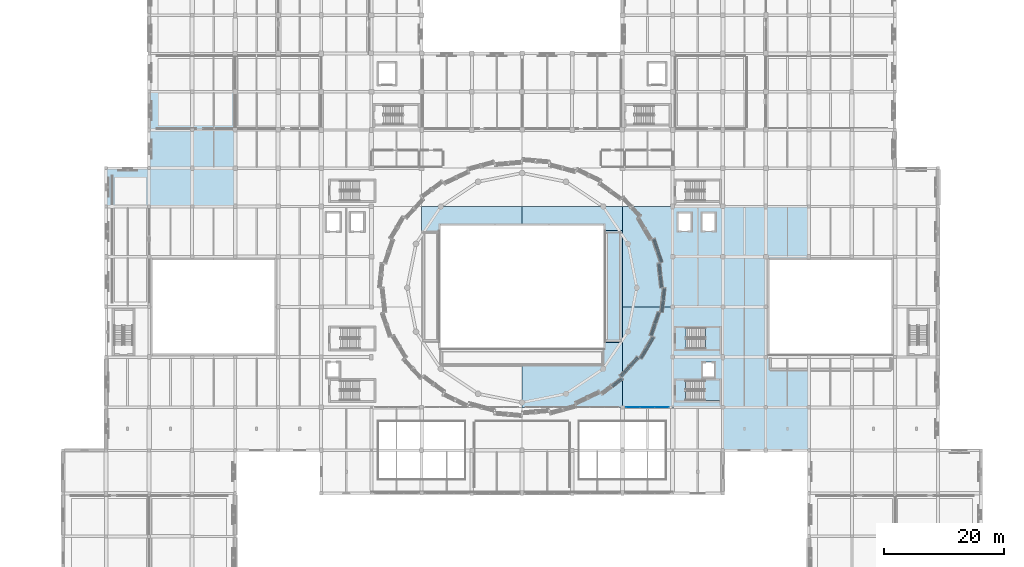
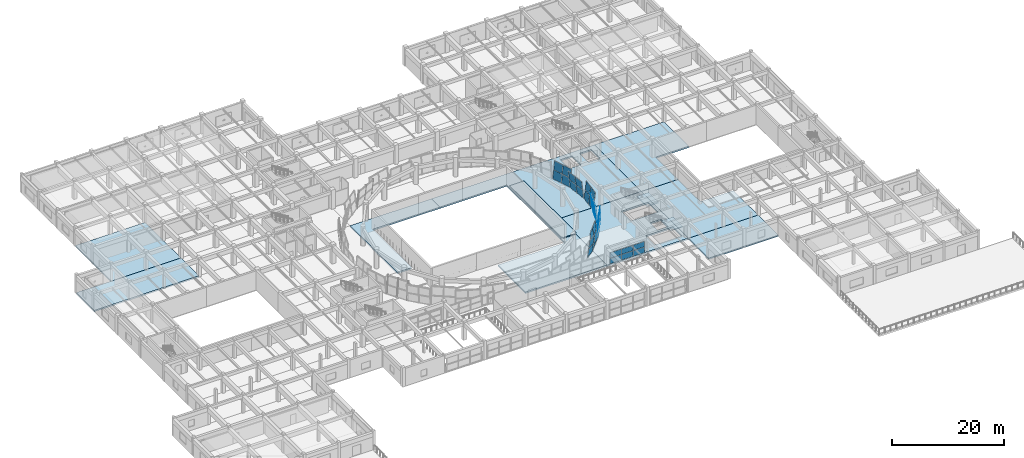
# One storey, part 43 of 71: 32 plates, 13 slabs, 10 elements without a shape of their own.
"""IFC4 building model written with IfcOpenShell, lengths in metres."""

from ifc_helpers import new_model, si_unit, direction, frame, origin, origin_2d, place, context, subcontext, project, spatial, polyline, rectangle, outline, extrude, material, layer, layer_set, type_object, element, aggregate, save


model = new_model("IFC4")

# Units and contexts
model_context = context("Model", 3, precision=1e-05, world=origin(), true_north=direction((0.0, 1.0)))
body_context = subcontext(model_context, "Body", "Model", "MODEL_VIEW")
ifc_project = project(units=[si_unit("LENGTHUNIT", "METRE"), si_unit("AREAUNIT", "SQUARE_METRE"), si_unit("VOLUMEUNIT", "CUBIC_METRE"), si_unit("PLANEANGLEUNIT", "RADIAN"), si_unit("MASSUNIT", "GRAM", prefix="KILO")], contexts=[model_context])

# Site, building, storey
site_placement = place(None, origin())
site = spatial("IfcSite", under=ifc_project, at=site_placement, CompositionType="ELEMENT")
building_placement = place(site_placement, origin())
building = spatial("IfcBuilding", under=site, at=building_placement, Name="Korsvaeld Concert Hall", CompositionType="ELEMENT")
storey_placement = place(building_placement, frame((0.0, 0.0, 4.800048828125)))
storey = spatial("IfcBuildingStorey", under=building, at=storey_placement, Name="L01", CompositionType="ELEMENT", Elevation=4.800048828125)

# Curtain wall, plates
ifc_material_1 = material(Name="Anodised bronze and ceramic-fritted safety glass", Category="glass")
curtain_wall_type_1 = type_object("IfcCurtainWallType", Name="CW-TYPE-14", PredefinedType="USERDEFINED", material=ifc_material_1)
curtain_wall_1_placement = place(storey_placement, origin())
curtain_wall_1 = element("IfcCurtainWall", 1, at=curtain_wall_1_placement, inside=storey, type_object=curtain_wall_type_1, Name="Glazed foyer acoustic screen L01-30", ObjectType="CURTAIN WALL", PredefinedType="USERDEFINED")
ifc_material_2 = material(Name="Clear acoustic triple safety glazing", Category="glass")
ifc_layer_1 = layer(ifc_material_2, 0.0439453125)
ifc_layer_set_1 = layer_set([ifc_layer_1], Name="Clear acoustic triple safety glazing")
plate_type_1 = type_object("IfcPlateType", Name="CWP-CLEAR-44", PredefinedType="CURTAIN_PANEL", material=ifc_layer_set_1)
plate_1_placement = place(storey_placement, frame((102.614990234375, 43.199951171875, 0.059814453125), z_axis=(0.0, 0.0, 1.0), x_axis=(1.0, 0.0, 0.0)))
plate_1 = element("IfcPlate", 2, at=plate_1_placement, type_object=plate_type_1, Name="CW-14 panel 1.1", PredefinedType="CURTAIN_PANEL", context=body_context, shape_type="SweptSolid", body=[
    extrude(rectangle(XDim=2.31005859375, YDim=0.0439453125, at=origin_2d()), origin(), (0.0, 0.0, 1.0), 1.18505859375),
])
plate_2_placement = place(storey_placement, frame((102.614990234375, 43.199951171875, 1.304931640625), z_axis=(0.0, 0.0, 1.0), x_axis=(1.0, 0.0, 0.0)))
plate_2 = element("IfcPlate", 3, at=plate_2_placement, type_object=plate_type_1, Name="CW-14 panel 1.2", PredefinedType="CURTAIN_PANEL", context=body_context, shape_type="SweptSolid", body=[
    extrude(rectangle(XDim=2.31005859375, YDim=0.0439453125, at=origin_2d()), origin(), (0.0, 0.0, 1.0), 1.18505859375),
])
plate_3_placement = place(storey_placement, frame((105.0, 43.199951171875, 0.059814453125), z_axis=(0.0, 0.0, 1.0), x_axis=(1.0, 0.0, 0.0)))
plate_3 = element("IfcPlate", 4, at=plate_3_placement, type_object=plate_type_1, Name="CW-14 panel 2.1", PredefinedType="CURTAIN_PANEL", context=body_context, shape_type="SweptSolid", body=[
    extrude(rectangle(XDim=2.340087890625, YDim=0.0439453125, at=origin_2d()), origin(), (0.0, 0.0, 1.0), 1.18505859375),
])
plate_4_placement = place(storey_placement, frame((105.0, 43.199951171875, 1.304931640625), z_axis=(0.0, 0.0, 1.0), x_axis=(1.0, 0.0, 0.0)))
plate_4 = element("IfcPlate", 5, at=plate_4_placement, type_object=plate_type_1, Name="CW-14 panel 2.2", PredefinedType="CURTAIN_PANEL", context=body_context, shape_type="SweptSolid", body=[
    extrude(rectangle(XDim=2.340087890625, YDim=0.0439453125, at=origin_2d()), origin(), (0.0, 0.0, 1.0), 1.18505859375),
])
plate_5_placement = place(storey_placement, frame((107.385009765625, 43.199951171875, 0.059814453125), z_axis=(0.0, 0.0, 1.0), x_axis=(1.0, 0.0, 0.0)))
plate_5 = element("IfcPlate", 6, at=plate_5_placement, type_object=plate_type_1, Name="CW-14 panel 3.1", PredefinedType="CURTAIN_PANEL", context=body_context, shape_type="SweptSolid", body=[
    extrude(rectangle(XDim=2.31005859375, YDim=0.0439453125, at=origin_2d()), origin(), (0.0, 0.0, 1.0), 1.18505859375),
])
plate_6_placement = place(storey_placement, frame((107.385009765625, 43.199951171875, 1.304931640625), z_axis=(0.0, 0.0, 1.0), x_axis=(1.0, 0.0, 0.0)))
plate_6 = element("IfcPlate", 7, at=plate_6_placement, type_object=plate_type_1, Name="CW-14 panel 3.2", PredefinedType="CURTAIN_PANEL", context=body_context, shape_type="SweptSolid", body=[
    extrude(rectangle(XDim=2.31005859375, YDim=0.0439453125, at=origin_2d()), origin(), (0.0, 0.0, 1.0), 1.18505859375),
])
aggregate(curtain_wall_1, [plate_1, plate_2, plate_3, plate_4, plate_5, plate_6])

curtain_wall_type_2 = type_object("IfcCurtainWallType", Name="CW-TYPE-01", PredefinedType="USERDEFINED", material=ifc_material_1)
curtain_wall_2_placement = place(storey_placement, origin())
curtain_wall_2 = element("IfcCurtainWall", 8, at=curtain_wall_2_placement, inside=storey, type_object=curtain_wall_type_2, Name="Crystal curtain-wall facet L01 F01", ObjectType="CURTAIN WALL", PredefinedType="USERDEFINED")
ifc_material_3 = material(Name="Translucent ceramic-fritted crystal safety glass", Category="glass")
ifc_layer_2 = layer(ifc_material_3, 0.035888671875)
ifc_layer_set_2 = layer_set([ifc_layer_2], Name="Translucent ceramic-fritted crystal safety glass")
plate_type_2 = type_object("IfcPlateType", Name="CWP-CRYSTAL-36", PredefinedType="CURTAIN_PANEL", material=ifc_layer_set_2)
plate_7_placement = place(storey_placement, frame((107.5849609375, 63.27392578125, 0.06005859375), z_axis=(0.987661041503, 0.108233449131, 0.113186516804), x_axis=(-0.108933482058, 0.994049041289, 0.0)))
plate_7 = element("IfcPlate", 9, at=plate_7_placement, type_object=plate_type_2, Name="CW-CRYS-L01-F01 ceramic-fritted crystal panel 1.1", PredefinedType="CURTAIN_PANEL", context=body_context, shape_type="SweptSolid", body=[
    extrude(outline(polyline([(0.0, 0.0), (1.967764774426495, -3.469446951953614e-18), (1.972192281123818, 1.8618180088716296), (0.004427506697322853, 1.8618180088716296), (0.0, 0.0)])), frame((0.0, 0.0, 0.01806640625)), (0.0, 0.0, -1.0), 0.035888671875),
])
plate_8_placement = place(storey_placement, frame((107.3681640625, 63.2548828125, 1.969970703125), z_axis=(0.987662642461, 0.108226870525, 0.113178837175), x_axis=(-0.108926851037, 0.99404976793, 7.59866e-07)))
plate_8 = element("IfcPlate", 10, at=plate_8_placement, type_object=plate_type_2, Name="CW-CRYS-L01-F01 ceramic-fritted crystal panel 1.2", PredefinedType="CURTAIN_PANEL", context=body_context, shape_type="SweptSolid", body=[
    extrude(outline(polyline([(0.0, 0.0), (1.9677647743821456, 0.0), (1.972192281168267, 1.8620605807478352), (0.0041848188544976635, 1.8620635907490142), (0.0, 0.0)])), frame((0.0, 0.0, 0.01806640625)), (0.0, 0.0, -1.0), 0.035888671875),
])
plate_9_placement = place(storey_placement, frame((107.3623046875, 65.3046875, 0.06005859375), z_axis=(0.987661041503, 0.108233449131, 0.113186516804), x_axis=(-0.108933482058, 0.994049041289, 0.0)))
plate_9 = element("IfcPlate", 11, at=plate_9_placement, type_object=plate_type_2, Name="CW-CRYS-L01-F01 ceramic-fritted crystal panel 2.1", PredefinedType="CURTAIN_PANEL", context=body_context, shape_type="SweptSolid", body=[
    extrude(outline(polyline([(0.0, 0.0), (1.967764774426495, -3.469446951953614e-18), (1.972192281123818, 1.8618180088716296), (0.004427506697322853, 1.8618180088716296), (0.0, 0.0)])), frame((0.0, 0.0, 0.01806640625)), (0.0, 0.0, -1.0), 0.035888671875),
])
plate_10_placement = place(storey_placement, frame((107.1455078125, 65.285400390625, 1.969970703125), z_axis=(0.987662711113, 0.108233632097, 0.113171771918), x_axis=(-0.108933482058, 0.994049041289, 0.0)))
plate_10 = element("IfcPlate", 12, at=plate_10_placement, type_object=plate_type_2, Name="CW-CRYS-L01-F01 ceramic-fritted crystal panel 2.2", PredefinedType="CURTAIN_PANEL", context=body_context, shape_type="SweptSolid", body=[
    extrude(outline(polyline([(0.0, 0.0), (1.967764774426495, 0.0), (1.972192281123818, 1.8620605807949135), (0.004427506697322853, 1.8620605807949135), (0.0, 0.0)])), frame((0.0, 0.0, 0.01806640625)), (0.0, 0.0, -1.0), 0.035888671875),
])
aggregate(curtain_wall_2, [plate_7, plate_8, plate_9, plate_10])

curtain_wall_type_3 = type_object("IfcCurtainWallType", Name="CW-TYPE-02", PredefinedType="USERDEFINED", material=ifc_material_1)
curtain_wall_3_placement = place(storey_placement, origin())
curtain_wall_3 = element("IfcCurtainWall", 13, at=curtain_wall_3_placement, inside=storey, type_object=curtain_wall_type_3, Name="Crystal curtain-wall facet L01 F02", ObjectType="CURTAIN WALL", PredefinedType="USERDEFINED")
plate_11_placement = place(storey_placement, frame((107.129150390625, 67.40869140625, 0.06005859375), z_axis=(0.941376989416, 0.317862797179, -0.113015954486), x_axis=(-0.319912420616, 0.947447118912, 0.0)))
plate_11 = element("IfcPlate", 14, at=plate_11_placement, type_object=plate_type_2, Name="CW-CRYS-L01-F02 ceramic-fritted crystal panel 1.1", PredefinedType="CURTAIN_PANEL", context=body_context, shape_type="SweptSolid", body=[
    extrude(outline(polyline([(0.0, 0.0), (1.9864750660546802, 1.3877787807814457e-17), (1.9739221973095524, 1.8617816278649928), (-0.01255286874512773, 1.8617816278649928), (0.0, 0.0)])), frame((0.0, 0.0, 0.01806640625)), (0.0, 0.0, -1.0), 0.035888671875),
])
plate_12_placement = place(storey_placement, frame((107.339111328125, 67.466064453125, 1.969970703125), z_axis=(0.941366104364, 0.317900359323, -0.113000969451), x_axis=(-0.319949676143, 0.947434538497, 0.0)))
plate_12 = element("IfcPlate", 15, at=plate_12_placement, type_object=plate_type_2, Name="CW-CRYS-L01-F02 ceramic-fritted crystal panel 1.2", PredefinedType="CURTAIN_PANEL", context=body_context, shape_type="SweptSolid", body=[
    extrude(outline(polyline([(0.0, 0.0), (1.9862437572585203, 0.0), (1.9736826146833244, 1.8620241487311948), (-0.012561142575196048, 1.8620241487311948), (0.0, 0.0)])), frame((0.0, 0.0, 0.01806640625)), (0.0, 0.0, -1.0), 0.035888671875),
])
plate_13_placement = place(storey_placement, frame((106.4697265625, 69.36181640625, 0.06005859375), z_axis=(0.941364517816, 0.317899823544, -0.11301569266), x_axis=(-0.319949676143, 0.947434538497, 0.0)))
plate_13 = element("IfcPlate", 16, at=plate_13_placement, type_object=plate_type_2, Name="CW-CRYS-L01-F02 ceramic-fritted crystal panel 2.1", PredefinedType="CURTAIN_PANEL", context=body_context, shape_type="SweptSolid", body=[
    extrude(outline(polyline([(0.0, 0.0), (1.9862437572585203, 1.3877787807814457e-17), (1.9736826146833244, 1.8617815720611695), (-0.012561142575196048, 1.8617815720611695), (0.0, 0.0)])), frame((0.0, 0.0, 0.01806640625)), (0.0, 0.0, -1.0), 0.035888671875),
])
plate_14_placement = place(storey_placement, frame((106.6796875, 69.4189453125, 1.969970703125), z_axis=(0.941366104364, 0.317900359323, -0.113000969451), x_axis=(-0.319949676143, 0.947434538497, 0.0)))
plate_14 = element("IfcPlate", 17, at=plate_14_placement, type_object=plate_type_2, Name="CW-CRYS-L01-F02 ceramic-fritted crystal panel 2.2", PredefinedType="CURTAIN_PANEL", context=body_context, shape_type="SweptSolid", body=[
    extrude(outline(polyline([(0.0, 0.0), (1.9862437572585203, 0.0), (1.9736826146833244, 1.8620241487311948), (-0.012561142575196048, 1.8620241487311948), (0.0, 0.0)])), frame((0.0, 0.0, 0.01806640625)), (0.0, 0.0, -1.0), 0.035888671875),
])
aggregate(curtain_wall_3, [plate_11, plate_12, plate_13, plate_14])

curtain_wall_type_4 = type_object("IfcCurtainWallType", Name="CW-TYPE-04", PredefinedType="USERDEFINED", material=ifc_material_1)
curtain_wall_4_placement = place(storey_placement, origin())
curtain_wall_4 = element("IfcCurtainWall", 18, at=curtain_wall_4_placement, inside=storey, type_object=curtain_wall_type_4, Name="Crystal curtain-wall facet L01 F28", ObjectType="CURTAIN WALL", PredefinedType="USERDEFINED")
plate_15_placement = place(storey_placement, frame((98.934326171875, 46.908203125, 0.06005859375), z_axis=(0.589630123852, -0.799785066551, -0.112606235924), x_axis=(0.804904507896, 0.593404358906, 0.0)))
plate_15 = element("IfcPlate", 19, at=plate_15_placement, type_object=plate_type_2, Name="CW-CRYS-L01-F28 ceramic-fritted crystal panel 2.1", PredefinedType="CURTAIN_PANEL", context=body_context, shape_type="SweptSolid", body=[
    extrude(outline(polyline([(0.0, 0.0), (2.1089579558479716, 1.3877787807814457e-17), (2.1312384127522934, 1.8616944676085372), (0.02228045690432169, 1.8616944676085372), (0.0, 0.0)])), frame((0.0, 0.0, 0.01806640625)), (0.0, 0.0, -1.0), 0.035888671875),
])
plate_16_placement = place(storey_placement, frame((99.0810546875, 46.74755859375, 1.969970703125), z_axis=(0.589606250178, -0.799810195203, -0.112552749416), x_axis=(0.804925146467, 0.59337636334, 3.840784e-06)))
plate_16 = element("IfcPlate", 20, at=plate_16_placement, type_object=plate_type_2, Name="CW-CRYS-L01-F28 ceramic-fritted crystal panel 2.2", PredefinedType="CURTAIN_PANEL", context=body_context, shape_type="SweptSolid", body=[
    extrude(outline(polyline([(0.0, 0.0), (2.109154469485147, -2.7755575615628914e-17), (2.131252808658941, 1.8619205774388161), (0.02229485410213064, 1.8619368818990785), (0.0, 0.0)])), frame((0.0, 0.0, 0.01806640625)), (0.0, 0.0, -1.0), 0.035888671875),
])
aggregate(curtain_wall_4, [plate_15, plate_16])

curtain_wall_type_5 = type_object("IfcCurtainWallType", Name="CW-TYPE-05", PredefinedType="USERDEFINED", material=ifc_material_1)
curtain_wall_5_placement = place(storey_placement, origin())
curtain_wall_5 = element("IfcCurtainWall", 21, at=curtain_wall_5_placement, inside=storey, type_object=curtain_wall_type_5, Name="Crystal curtain-wall facet L01 F29", ObjectType="CURTAIN WALL", PredefinedType="USERDEFINED")
plate_17_placement = place(storey_placement, frame((100.732666015625, 48.268798828125, 0.06005859375), z_axis=(0.733559567217, -0.670244640635, 0.112527699015), x_axis=(0.674529259375, 0.73824811427, -4.883544e-06)))
plate_17 = element("IfcPlate", 22, at=plate_17_placement, type_object=plate_type_2, Name="CW-CRYS-L01-F29 ceramic-fritted crystal panel 1.1", PredefinedType="CURTAIN_PANEL", context=body_context, shape_type="SweptSolid", body=[
    extrude(outline(polyline([(0.0, 0.0), (2.063335276520315, 1.3877787807814457e-17), (2.04115466046325, 1.8616878296496642), (-0.022015936062100557, 1.8616675488663554), (0.0, 0.0)])), frame((0.0, 0.0, 0.01806640625)), (0.0, 0.0, -1.0), 0.035888671875),
])
plate_18_placement = place(storey_placement, frame((100.5576171875, 48.39794921875, 1.969970703125), z_axis=(0.733586029487, -0.670210028542, 0.112561338758), x_axis=(0.674496604142, 0.738277949692, 0.0)))
plate_18 = element("IfcPlate", 23, at=plate_18_placement, type_object=plate_type_2, Name="CW-CRYS-L01-F29 ceramic-fritted crystal panel 1.2", PredefinedType="CURTAIN_PANEL", context=body_context, shape_type="SweptSolid", body=[
    extrude(outline(polyline([(0.0, 0.0), (2.0631705985682665, 0.0), (2.0410082866452655, 1.861930638647585), (-0.02216231192300118, 1.861930638647585), (0.0, 0.0)])), frame((0.0, 0.0, 0.01806640625)), (0.0, 0.0, -1.0), 0.035888671875),
])
plate_19_placement = place(storey_placement, frame((102.175048828125, 49.847412109375, 0.06005859375), z_axis=(0.733584802726, -0.670208907764, 0.112576006159), x_axis=(0.674496604142, 0.738277949692, 0.0)))
plate_19 = element("IfcPlate", 24, at=plate_19_placement, type_object=plate_type_2, Name="CW-CRYS-L01-F29 ceramic-fritted crystal panel 2.1", PredefinedType="CURTAIN_PANEL", context=body_context, shape_type="SweptSolid", body=[
    extrude(outline(polyline([(0.0, 0.0), (2.0631705985682665, 1.3877787807814457e-17), (2.0410082866452655, 1.8616880497932604), (-0.02216231192300119, 1.8616880497932604), (0.0, 0.0)])), frame((0.0, 0.0, 0.01806640625)), (0.0, 0.0, -1.0), 0.035888671875),
])
plate_20_placement = place(storey_placement, frame((101.999755859375, 49.9765625, 1.969970703125), z_axis=(0.733586029487, -0.670210028542, 0.112561338758), x_axis=(0.674496604142, 0.738277949692, 0.0)))
plate_20 = element("IfcPlate", 25, at=plate_20_placement, type_object=plate_type_2, Name="CW-CRYS-L01-F29 ceramic-fritted crystal panel 2.2", PredefinedType="CURTAIN_PANEL", context=body_context, shape_type="SweptSolid", body=[
    extrude(outline(polyline([(0.0, 0.0), (2.0631705985682665, 0.0), (2.0410082866452655, 1.861930638647585), (-0.02216231192300118, 1.861930638647585), (0.0, 0.0)])), frame((0.0, 0.0, 0.01806640625)), (0.0, 0.0, -1.0), 0.035888671875),
])
aggregate(curtain_wall_5, [plate_17, plate_18, plate_19, plate_20])

curtain_wall_type_6 = type_object("IfcCurtainWallType", Name="CW-TYPE-06", PredefinedType="USERDEFINED", material=ifc_material_1)
curtain_wall_6_placement = place(storey_placement, origin())
curtain_wall_6 = element("IfcCurtainWall", 26, at=curtain_wall_6_placement, inside=storey, type_object=curtain_wall_type_6, Name="Crystal curtain-wall facet L01 F30", ObjectType="CURTAIN WALL", PredefinedType="USERDEFINED")
plate_21_placement = place(storey_placement, frame((103.667236328125, 51.4833984375, 0.06005859375), z_axis=(0.853892161526, -0.508096158557, -0.112722979661), x_axis=(0.511355642616, 0.859369191182, 3.461232e-06)))
plate_21 = element("IfcPlate", 27, at=plate_21_placement, type_object=plate_type_2, Name="CW-CRYS-L01-F30 ceramic-fritted crystal panel 1.1", PredefinedType="CURTAIN_PANEL", context=body_context, shape_type="SweptSolid", body=[
    extrude(outline(polyline([(0.0, 0.0), (2.019936687795968, 1.3877787807814457e-17), (2.0388127149924404, 1.8617121671868948), (0.018666220265031574, 1.8617262405480326), (0.0, 0.0)])), frame((0.0, 0.0, 0.01806640625)), (0.0, 0.0, -1.0), 0.035888671875),
])
plate_22_placement = place(storey_placement, frame((103.86328125, 51.38916015625, 1.969970703125), z_axis=(0.85388274351, -0.508090554503, -0.112819540684), x_axis=(0.511355643194, 0.859369190838, 3.464158e-06)))
plate_22 = element("IfcPlate", 28, at=plate_22_placement, type_object=plate_type_2, Name="CW-CRYS-L01-F30 ceramic-fritted crystal panel 1.2", PredefinedType="CURTAIN_PANEL", context=body_context, shape_type="SweptSolid", body=[
    extrude(outline(polyline([(0.0, 0.0), (2.019936687795989, 1.3877787807814457e-17), (2.038937564079803, 1.8619784041117298), (0.01879106935245732, 1.861992489528423), (0.0, 0.0)])), frame((0.0, 0.0, 0.01806640625)), (0.0, 0.0, -1.0), 0.035888671875),
])
plate_23_placement = place(storey_placement, frame((104.738525390625, 53.28369140625, 0.06005859375), z_axis=(0.853892161526, -0.508096158557, -0.112722979661), x_axis=(0.511354967766, 0.859369592742, -3.460872e-06)))
plate_23 = element("IfcPlate", 29, at=plate_23_placement, type_object=plate_type_2, Name="CW-CRYS-L01-F30 ceramic-fritted crystal panel 2.1", PredefinedType="CURTAIN_PANEL", context=body_context, shape_type="SweptSolid", body=[
    extrude(outline(polyline([(0.0, 0.0), (2.0201464947764305, -2.7755575615628914e-17), (2.0387997453154023, 1.861726370541177), (0.018863057568449717, 1.8617122986416608), (0.0, 0.0)])), frame((0.0, 0.0, 0.01806640625)), (0.0, 0.0, -1.0), 0.035888671875),
])
plate_24_placement = place(storey_placement, frame((104.9345703125, 53.189453125, 1.969970703125), z_axis=(0.85388274351, -0.508090554503, -0.112819540684), x_axis=(0.511354967188, 0.859369593086, -3.463799e-06)))
plate_24 = element("IfcPlate", 30, at=plate_24_placement, type_object=plate_type_2, Name="CW-CRYS-L01-F30 ceramic-fritted crystal panel 2.2", PredefinedType="CURTAIN_PANEL", context=body_context, shape_type="SweptSolid", body=[
    extrude(outline(polyline([(0.0, 0.0), (2.0201464947764514, 0.0), (2.038924581436274, 1.8619926205033843), (0.018987893689385096, 1.8619785365495645), (0.0, 0.0)])), frame((0.0, 0.0, 0.01806640625)), (0.0, 0.0, -1.0), 0.035888671875),
])
aggregate(curtain_wall_6, [plate_21, plate_22, plate_23, plate_24])

curtain_wall_type_7 = type_object("IfcCurtainWallType", Name="CW-TYPE-07", PredefinedType="USERDEFINED", material=ifc_material_1)
curtain_wall_7_placement = place(storey_placement, origin())
curtain_wall_7 = element("IfcCurtainWall", 31, at=curtain_wall_7_placement, inside=storey, type_object=curtain_wall_type_7, Name="Crystal curtain-wall facet L01 F31", ObjectType="CURTAIN WALL", PredefinedType="USERDEFINED")
plate_25_placement = place(storey_placement, frame((105.821044921875, 55.159912109375, 0.06005859375), z_axis=(0.941364517816, -0.317899823544, 0.11301569266), x_axis=(0.319949676143, 0.947434538497, 0.0)))
plate_25 = element("IfcPlate", 32, at=plate_25_placement, type_object=plate_type_2, Name="CW-CRYS-L01-F31 ceramic-fritted crystal panel 1.1", PredefinedType="CURTAIN_PANEL", context=body_context, shape_type="SweptSolid", body=[
    extrude(outline(polyline([(0.0, 0.0), (1.9862437572585203, 1.3877787807814457e-17), (1.9736826146833244, 1.8617815720611695), (-0.012561142575196048, 1.8617815720611695), (0.0, 0.0)])), frame((0.0, 0.0, 0.01806640625)), (0.0, 0.0, -1.0), 0.035888671875),
])
plate_26_placement = place(storey_placement, frame((105.611083984375, 55.21728515625, 1.969970703125), z_axis=(0.941366104364, -0.317900359323, 0.113000969451), x_axis=(0.319949676143, 0.947434538497, 0.0)))
plate_26 = element("IfcPlate", 33, at=plate_26_placement, type_object=plate_type_2, Name="CW-CRYS-L01-F31 ceramic-fritted crystal panel 1.2", PredefinedType="CURTAIN_PANEL", context=body_context, shape_type="SweptSolid", body=[
    extrude(outline(polyline([(0.0, 0.0), (1.9862437572585203, 0.0), (1.9736826146833244, 1.8620241487311948), (-0.012561142575196048, 1.8620241487311948), (0.0, 0.0)])), frame((0.0, 0.0, 0.01806640625)), (0.0, 0.0, -1.0), 0.035888671875),
])
plate_27_placement = place(storey_placement, frame((106.48046875, 57.113037109375, 0.06005859375), z_axis=(0.941364517816, -0.317899823544, 0.11301569266), x_axis=(0.319949676143, 0.947434538497, 0.0)))
plate_27 = element("IfcPlate", 34, at=plate_27_placement, type_object=plate_type_2, Name="CW-CRYS-L01-F31 ceramic-fritted crystal panel 2.1", PredefinedType="CURTAIN_PANEL", context=body_context, shape_type="SweptSolid", body=[
    extrude(outline(polyline([(0.0, 0.0), (1.9862437572585203, 1.3877787807814457e-17), (1.9736826146833244, 1.8617815720611695), (-0.012561142575196048, 1.8617815720611695), (0.0, 0.0)])), frame((0.0, 0.0, 0.01806640625)), (0.0, 0.0, -1.0), 0.035888671875),
])
plate_28_placement = place(storey_placement, frame((106.2705078125, 57.170166015625, 1.969970703125), z_axis=(0.941366104364, -0.317900359323, 0.113000969451), x_axis=(0.319949676143, 0.947434538497, 0.0)))
plate_28 = element("IfcPlate", 35, at=plate_28_placement, type_object=plate_type_2, Name="CW-CRYS-L01-F31 ceramic-fritted crystal panel 2.2", PredefinedType="CURTAIN_PANEL", context=body_context, shape_type="SweptSolid", body=[
    extrude(outline(polyline([(0.0, 0.0), (1.9862437572585203, 0.0), (1.9736826146833244, 1.8620241487311948), (-0.012561142575196048, 1.8620241487311948), (0.0, 0.0)])), frame((0.0, 0.0, 0.01806640625)), (0.0, 0.0, -1.0), 0.035888671875),
])
aggregate(curtain_wall_7, [plate_25, plate_26, plate_27, plate_28])

curtain_wall_type_8 = type_object("IfcCurtainWallType", Name="CW-TYPE-08", PredefinedType="USERDEFINED", material=ifc_material_1)
curtain_wall_8_placement = place(storey_placement, origin())
curtain_wall_8 = element("IfcCurtainWall", 36, at=curtain_wall_8_placement, inside=storey, type_object=curtain_wall_type_8, Name="Crystal curtain-wall facet L01 F32", ObjectType="CURTAIN WALL", PredefinedType="USERDEFINED")
plate_29_placement = place(storey_placement, frame((107.161376953125, 59.137939453125, 0.06005859375), z_axis=(0.987649180643, -0.108341898139, -0.113186258362), x_axis=(0.109042629262, 0.99403707426, 0.0)))
plate_29 = element("IfcPlate", 37, at=plate_29_placement, type_object=plate_type_2, Name="CW-CRYS-L01-F32 ceramic-fritted crystal panel 1.1", PredefinedType="CURTAIN_PANEL", context=body_context, shape_type="SweptSolid", body=[
    extrude(outline(polyline([(0.0, 0.0), (1.9680340691327352, 0.0), (1.9724847145236928, 1.8618179537027453), (0.004450645390957637, 1.8618179537027453), (0.0, 0.0)])), frame((0.0, 0.0, 0.01806640625)), (0.0, 0.0, -1.0), 0.035888671875),
])
plate_30_placement = place(storey_placement, frame((107.378173828125, 59.118896484375, 1.969970703125), z_axis=(0.98764938802, -0.108355443344, -0.113171481577), x_axis=(0.10905607732, 0.99403559896, 0.0)))
plate_30 = element("IfcPlate", 38, at=plate_30_placement, type_object=plate_type_2, Name="CW-CRYS-L01-F32 ceramic-fritted crystal panel 1.2", PredefinedType="CURTAIN_PANEL", context=body_context, shape_type="SweptSolid", body=[
    extrude(outline(polyline([(0.0, 0.0), (1.9677913844802313, 3.469446951953614e-18), (1.97224488081178, 1.8620605188167947), (0.004453496331548846, 1.8620605188167947), (0.0, 0.0)])), frame((0.0, 0.0, 0.01806640625)), (0.0, 0.0, -1.0), 0.035888671875),
])
plate_31_placement = place(storey_placement, frame((107.384033203125, 61.168701171875, 0.06005859375), z_axis=(0.98764771844, -0.108355260173, -0.113186226426), x_axis=(0.10905607732, 0.99403559896, 0.0)))
plate_31 = element("IfcPlate", 39, at=plate_31_placement, type_object=plate_type_2, Name="CW-CRYS-L01-F32 ceramic-fritted crystal panel 2.1", PredefinedType="CURTAIN_PANEL", context=body_context, shape_type="SweptSolid", body=[
    extrude(outline(polyline([(0.0, 0.0), (1.9677913844802313, 0.0), (1.97224488081178, 1.8618179468854357), (0.004453496331548845, 1.8618179468854357), (0.0, 0.0)])), frame((0.0, 0.0, 0.01806640625)), (0.0, 0.0, -1.0), 0.035888671875),
])
plate_32_placement = place(storey_placement, frame((107.600830078125, 61.149658203125, 1.969970703125), z_axis=(0.987649320106, -0.108348674243, -0.113178554879), x_axis=(0.109049439015, 0.994036327229, 7.60709e-07)))
plate_32 = element("IfcPlate", 40, at=plate_32_placement, type_object=plate_type_2, Name="CW-CRYS-L01-F32 ceramic-fritted crystal panel 2.2", PredefinedType="CURTAIN_PANEL", context=body_context, shape_type="SweptSolid", body=[
    extrude(outline(polyline([(0.0, 0.0), (1.9677913844357826, 3.469446951953614e-18), (1.9722448808563293, 1.8620605187696093), (0.0042108117703443925, 1.8620635321507695), (0.0, 0.0)])), frame((0.0, 0.0, 0.01806640625)), (0.0, 0.0, -1.0), 0.035888671875),
])
aggregate(curtain_wall_8, [plate_29, plate_30, plate_31, plate_32])

# Slabs
ifc_material_4 = material(Name="Concrete C35/45", Category="concrete")
ifc_layer_3 = layer(ifc_material_4, 0.280029296875)
ifc_layer_set_3 = layer_set([ifc_layer_3], Name="Concrete C35/45")
slab_type_1 = type_object("IfcSlabType", Name="SLB-FOY-280", PredefinedType="FLOOR", material=ifc_layer_set_3)
slab_1_placement = place(storey_placement, frame((0.0, 0.0, -0.280029296875)))
element("IfcSlab", 41, at=slab_1_placement, inside=storey, type_object=slab_type_1, Name="Structural slab L01 V4_PASS_E1 1.1", PredefinedType="FLOOR", context=body_context, shape_type="SweptSolid", body=[
    extrude(outline(polyline([(117.60009765625, 36.0), (117.60009765625, 43.199951171875), (132.0, 43.199951171875), (132.0, 36.0), (117.60009765625, 36.0)])), origin(), (0.0, 0.0, 1.0), 0.280029296875),
])
slab_2_placement = place(storey_placement, frame((0.0, 0.0, -0.280029296875)))
element("IfcSlab", 42, at=slab_2_placement, inside=storey, type_object=slab_type_1, Name="Structural slab L01 V5_L01_W 1.1", PredefinedType="FLOOR", context=body_context, shape_type="SweptSolid", body=[
    extrude(outline(polyline([(21.60009765625, 83.199951171875), (21.60009765625, 96.0), (36.0, 96.0), (36.0, 83.199951171875), (21.60009765625, 83.199951171875)])), origin(), (0.0, 0.0, 1.0), 0.280029296875),
])
ifc_layer_4 = layer(ifc_material_4, 0.320068359375)
ifc_layer_set_4 = layer_set([ifc_layer_4], Name="Concrete C35/45")
slab_type_2 = type_object("IfcSlabType", Name="SLB-HALL-320", PredefinedType="FLOOR", material=ifc_layer_set_4)
slab_3_placement = place(storey_placement, frame((0.0, 0.0, -0.320068359375)))
element("IfcSlab", 43, at=slab_3_placement, inside=storey, type_object=slab_type_2, Name="Structural slab L01 V3_L01 1.3", PredefinedType="FLOOR", context=body_context, shape_type="SweptSolid", body=[
    extrude(outline(polyline([(14.39990234375, 76.800048828125), (14.39990234375, 83.199951171875), (36.0, 83.199951171875), (36.0, 76.800048828125), (14.39990234375, 76.800048828125)])), origin(), (0.0, 0.0, 1.0), 0.320068359375),
])
slab_4_placement = place(storey_placement, frame((0.0, 0.0, -0.320068359375)))
element("IfcSlab", 44, at=slab_4_placement, inside=storey, type_object=slab_type_2, Name="Structural slab L01 V1_L01 2.2", PredefinedType="FLOOR", context=body_context, shape_type="SweptSolid", body=[
    extrude(outline(polyline([(67.199951171875, 60.0), (67.199951171875, 76.800048828125), (84.0, 76.800048828125), (84.0, 73.800048828125), (70.199951171875, 73.800048828125), (70.199951171875, 60.0), (67.199951171875, 60.0)])), origin(), (0.0, 0.0, 1.0), 0.320068359375),
])
slab_5_placement = place(storey_placement, frame((0.0, 0.0, -0.320068359375)))
element("IfcSlab", 45, at=slab_5_placement, inside=storey, type_object=slab_type_2, Name="Structural slab L01 V1_L01 3.1", PredefinedType="FLOOR", context=body_context, shape_type="SweptSolid", body=[
    extrude(outline(polyline([(100.800048828125, 60.0), (100.800048828125, 43.199951171875), (84.0, 43.199951171875), (84.0, 53.0), (97.800048828125, 53.0), (97.800048828125, 60.0), (100.800048828125, 60.0)])), origin(), (0.0, 0.0, 1.0), 0.320068359375),
])
slab_6_placement = place(storey_placement, frame((0.0, 0.0, -0.320068359375)))
element("IfcSlab", 46, at=slab_6_placement, inside=storey, type_object=slab_type_2, Name="Structural slab L01 V1_L01 3.2", PredefinedType="FLOOR", context=body_context, shape_type="SweptSolid", body=[
    extrude(outline(polyline([(84.0, 76.800048828125), (100.800048828125, 76.800048828125), (100.800048828125, 60.0), (97.800048828125, 60.0), (97.800048828125, 73.800048828125), (84.0, 73.800048828125), (84.0, 76.800048828125)])), origin(), (0.0, 0.0, 1.0), 0.320068359375),
])
slab_7_placement = place(storey_placement, frame((0.0, 0.0, -0.320068359375)))
element("IfcSlab", 47, at=slab_7_placement, inside=storey, type_object=slab_type_2, Name="Structural slab L01 V1_L01 4.1", PredefinedType="FLOOR", context=body_context, shape_type="SweptSolid", body=[
    extrude(outline(polyline([(100.800048828125, 43.199951171875), (100.800048828125, 60.0), (117.60009765625, 60.0), (117.60009765625, 43.199951171875), (100.800048828125, 43.199951171875)]), holes=[polyline([(111.344970703125, 44.39501953125), (117.0048828125, 44.39501953125), (117.0048828125, 47.64501953125), (111.344970703125, 47.64501953125), (111.344970703125, 44.39501953125)]), polyline([(116.300048828125, 50.75), (114.10009765625, 50.75), (114.10009765625, 48.14990234375), (116.300048828125, 48.14990234375), (116.300048828125, 50.75)]), polyline([(111.445068359375, 52.9951171875), (117.0048828125, 52.9951171875), (117.0048828125, 56.445068359375), (111.445068359375, 56.445068359375), (111.445068359375, 52.9951171875)])]), origin(), (0.0, 0.0, 1.0), 0.320068359375),
])
slab_8_placement = place(storey_placement, frame((0.0, 0.0, -0.320068359375)))
element("IfcSlab", 48, at=slab_8_placement, inside=storey, type_object=slab_type_2, Name="Structural slab L01 V1_L01 4.2", PredefinedType="FLOOR", context=body_context, shape_type="SweptSolid", body=[
    extrude(outline(polyline([(100.800048828125, 60.0), (100.800048828125, 76.800048828125), (117.60009765625, 76.800048828125), (117.60009765625, 60.0), (100.800048828125, 60.0)]), holes=[polyline([(112.39990234375, 72.60009765625), (112.39990234375, 75.800048828125), (110.0, 75.800048828125), (110.0, 72.60009765625), (112.39990234375, 72.60009765625)]), polyline([(116.39990234375, 72.60009765625), (116.39990234375, 75.800048828125), (114.0, 75.800048828125), (114.0, 72.60009765625), (116.39990234375, 72.60009765625)])]), origin(), (0.0, 0.0, 1.0), 0.320068359375),
])
slab_9_placement = place(storey_placement, frame((0.0, 0.0, -0.320068359375)))
element("IfcSlab", 49, at=slab_9_placement, inside=storey, type_object=slab_type_2, Name="Structural slab L01 V2_L01 1.1", PredefinedType="FLOOR", context=body_context, shape_type="SweptSolid", body=[
    extrude(outline(polyline([(132.0, 43.199951171875), (117.60009765625, 43.199951171875), (117.60009765625, 60.0), (125.199951171875, 60.0), (125.199951171875, 52.0), (132.0, 52.0), (132.0, 43.199951171875)])), origin(), (0.0, 0.0, 1.0), 0.320068359375),
])
slab_10_placement = place(storey_placement, frame((0.0, 0.0, -0.320068359375)))
element("IfcSlab", 50, at=slab_10_placement, inside=storey, type_object=slab_type_2, Name="Structural slab L01 V2_L01 1.2", PredefinedType="FLOOR", context=body_context, shape_type="SweptSolid", body=[
    extrude(outline(polyline([(117.60009765625, 60.0), (117.60009765625, 76.800048828125), (132.0, 76.800048828125), (132.0, 68.0), (125.199951171875, 68.0), (125.199951171875, 60.0), (117.60009765625, 60.0)])), origin(), (0.0, 0.0, 1.0), 0.320068359375),
])

# Stair, slab
ifc_material_5 = material(Name="Precast concrete C40/50", Category="concrete")
stair_type_1 = type_object("IfcStairType", Name="STR-HT-155-42", PredefinedType="HALF_TURN_STAIR", material=ifc_material_5)
stair_1_placement = place(storey_placement, origin())
stair_1 = element("IfcStair", 51, at=stair_1_placement, inside=storey, type_object=stair_type_1, Name="L01 ST-K4", PredefinedType="HALF_TURN_STAIR")
ifc_layer_5 = layer(ifc_material_5, 0.179931640625)
ifc_layer_set_5 = layer_set([ifc_layer_5], Name="Precast concrete C40/50")
slab_type_3 = type_object("IfcSlabType", Name="SLB-LANDING-180", PredefinedType="LANDING", material=ifc_layer_set_5)
slab_11_placement = place(storey_placement, frame((0.0, 0.0, 1.919921875)))
slab_11 = element("IfcSlab", 52, at=slab_11_placement, type_object=slab_type_3, Name="ST-K4 landing 1", PredefinedType="LANDING", context=body_context, shape_type="SweptSolid", body=[
    extrude(outline(polyline([(114.56005859375, 44.31005859375), (114.56005859375, 47.72998046875), (117.090087890625, 47.72998046875), (117.090087890625, 44.31005859375), (114.56005859375, 44.31005859375)])), origin(), (0.0, 0.0, 1.0), 0.179931640625),
])
aggregate(stair_1, [slab_11])

stair_type_2 = type_object("IfcStairType", Name="STR-HT-165-42", PredefinedType="HALF_TURN_STAIR", material=ifc_material_5)
stair_2_placement = place(storey_placement, origin())
stair_2 = element("IfcStair", 53, at=stair_2_placement, inside=storey, type_object=stair_type_2, Name="L01 ST-F2", PredefinedType="HALF_TURN_STAIR")
slab_12_placement = place(storey_placement, frame((0.0, 0.0, 1.919921875)))
slab_12 = element("IfcSlab", 54, at=slab_12_placement, type_object=slab_type_3, Name="ST-F2 landing 1", PredefinedType="LANDING", context=body_context, shape_type="SweptSolid", body=[
    extrude(outline(polyline([(114.659912109375, 52.909912109375), (114.659912109375, 56.530029296875), (117.090087890625, 56.530029296875), (117.090087890625, 52.909912109375), (114.659912109375, 52.909912109375)])), origin(), (0.0, 0.0, 1.0), 0.179931640625),
])
aggregate(stair_2, [slab_12])

# Slab
ifc_layer_6 = layer(ifc_material_5, 0.199951171875)
ifc_layer_set_6 = layer_set([ifc_layer_6], Name="Precast concrete C40/50")
slab_type_4 = type_object("IfcSlabType", Name="SLB-TIER-200", PredefinedType="USERDEFINED", material=ifc_layer_set_6)
slab_13_placement = place(storey_placement, frame((0.0, 0.0, 0.25)))
element("IfcSlab", 55, at=slab_13_placement, inside=storey, type_object=slab_type_4, Name="Auditorium seating tier V1-CIRC1-E", ObjectType="SEATING TIER", PredefinedType="USERDEFINED", context=body_context, shape_type="SweptSolid", body=[
    extrude(outline(polyline([(97.800048828125, 54.300048828125), (98.10009765625, 54.0), (100.5, 54.0), (100.800048828125, 54.300048828125), (100.800048828125, 72.800048828125), (97.800048828125, 72.800048828125), (97.800048828125, 54.300048828125)])), origin(), (0.0, 0.0, 1.0), 0.199951171875),
])

save(model, "model.ifc")
